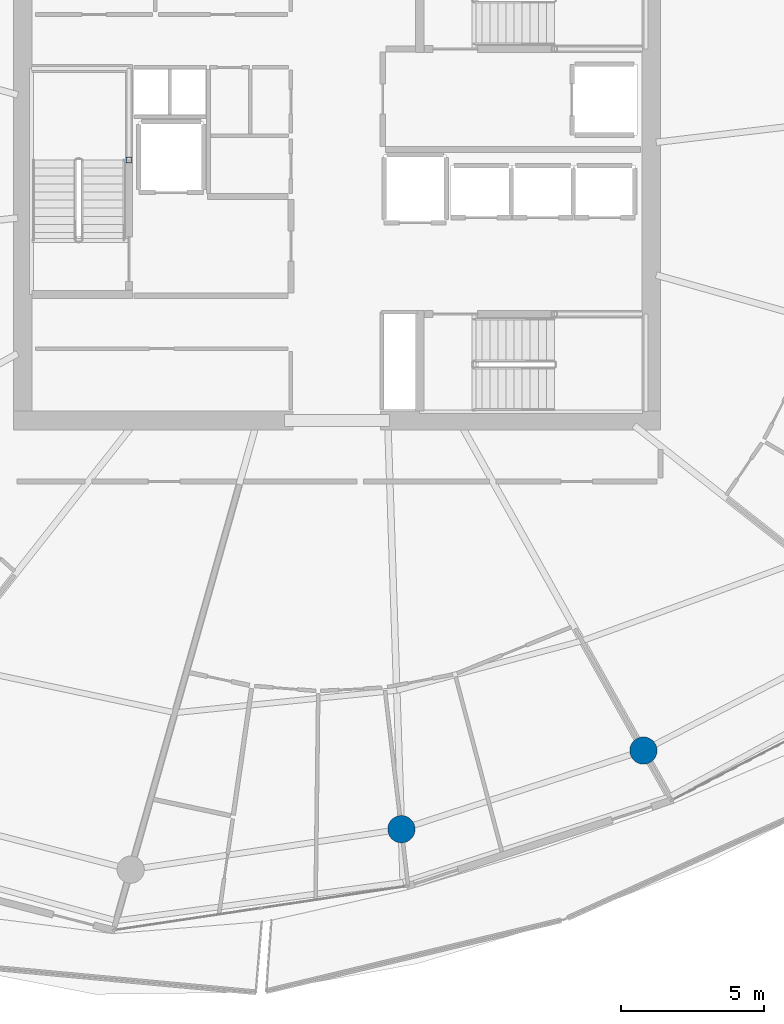
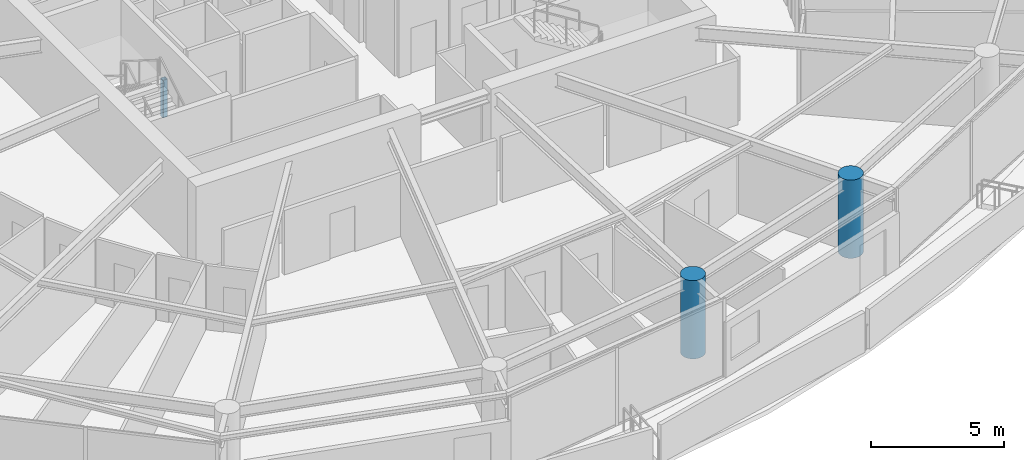
# One storey, part 2 of 30: 3 columns.
"""IFC4 building model written with IfcOpenShell, lengths in metres."""

import ifcopenshell
import ifcopenshell.guid

model = None  # the IFC model being written
_history = None  # IfcOwnerHistory: only IFC2X3 demands one
_inside = {}  # id of a spatial element -> (the spatial element, [elements in it])
_under = {}  # id of a project, library or spatial element -> (it, [spatial elements below it])
_declared = {}  # id of a project -> (the project, [libraries it declares])
_typed = {}  # id of a type object -> (the type object, [elements of that type])
_made_of = {}  # id of a material, layer set ... -> (it, [elements and type objects made of it])


def new_model(schema):
    """Start an empty IFC model of exactly this schema.

    Asked for "IFC4X3", IfcOpenShell would pick the latest addendum, in which some entities
    have other attributes; the version numbers below select the first issue.
    IFC2X3 requires an IfcOwnerHistory on every rooted entity: one is made here for all.
    """
    global model, _history
    if schema == "IFC4X3":
        model = ifcopenshell.file(schema_version=(4, 3, 0, 0))
    else:
        model = ifcopenshell.file(schema=schema)
    _inside.clear()
    _under.clear()
    _declared.clear()
    _typed.clear()
    _made_of.clear()
    _history = None
    if model.schema == "IFC2X3":
        org = make("IfcOrganization", Name="unknown")
        user = make(
            "IfcPersonAndOrganization",
            ThePerson=make("IfcPerson", FamilyName="unknown"),
            TheOrganization=org,
        )
        app = make(
            "IfcApplication",
            ApplicationDeveloper=org,
            Version="unknown",
            ApplicationFullName="unknown",
            ApplicationIdentifier="unknown",
        )
        _history = make(
            "IfcOwnerHistory",
            OwningUser=user,
            OwningApplication=app,
            ChangeAction="ADDED",
            CreationDate=0,
        )
    return model


def make(cls, **values):
    """One entity of the class cls with the attributes given. An attribute that is None is left unset."""
    return model.create_entity(
        cls, **{name: value for name, value in values.items() if value is not None}
    )


def rooted(cls, **values):
    """An entity with a GlobalId (a new one), such as an element, a storey or a relation."""
    return make(cls, GlobalId=ifcopenshell.guid.new(), OwnerHistory=_history, **values)


def si_unit(unit_type, name, prefix=None):
    """IfcSIUnit, for example si_unit("LENGTHUNIT", "METRE", prefix="MILLI")."""
    return make("IfcSIUnit", UnitType=unit_type, Prefix=prefix, Name=name)


def assignment(units):
    """IfcUnitAssignment: the units of a project."""
    return None if units is None else make("IfcUnitAssignment", Units=units)


def point(xyz):
    """IfcCartesianPoint."""
    return None if xyz is None else make("IfcCartesianPoint", Coordinates=xyz)


def direction(xyz):
    """IfcDirection."""
    return None if xyz is None else make("IfcDirection", DirectionRatios=xyz)


def frame(location, z_axis=None, x_axis=None):
    """IfcAxis2Placement3D, a coordinate frame: its origin and axes. An axis left out is left unset."""
    return make(
        "IfcAxis2Placement3D",
        Location=point(location),
        Axis=direction(z_axis),
        RefDirection=direction(x_axis),
    )


def frame_2d(location, x_axis=None):
    """IfcAxis2Placement2D, a coordinate frame in the plane: its origin and x axis."""
    return make(
        "IfcAxis2Placement2D", Location=point(location), RefDirection=direction(x_axis)
    )


def origin():
    """The frame at (0, 0, 0) with its axes left unset."""
    return frame((0.0, 0.0, 0.0))


def origin_2d():
    """The frame at (0, 0) in the plane with its x axis left unset."""
    return frame_2d((0.0, 0.0))


def place(relative_to, where):
    """IfcLocalPlacement: puts the frame where relative to a parent placement (None: the world)."""
    return make(
        "IfcLocalPlacement", PlacementRelTo=relative_to, RelativePlacement=where
    )


def context(
    kind, dimensions, precision=None, world=None, true_north=None, identifier=None
):
    """IfcGeometricRepresentationContext, for example the 3D "Model" context."""
    return make(
        "IfcGeometricRepresentationContext",
        ContextIdentifier=identifier,
        ContextType=kind,
        CoordinateSpaceDimension=dimensions,
        Precision=precision,
        WorldCoordinateSystem=world,
        TrueNorth=true_north,
    )


def subcontext(parent, identifier, kind, view, scale=None):
    """IfcGeometricRepresentationSubContext, for example "Body" below "Model"."""
    return make(
        "IfcGeometricRepresentationSubContext",
        ContextIdentifier=identifier,
        ContextType=kind,
        ParentContext=parent,
        TargetScale=scale,
        TargetView=view,
    )


def project(units=None, contexts=None):
    """IfcProject with its units and contexts."""
    return rooted(
        "IfcProject",
        Name="project",
        RepresentationContexts=contexts,
        UnitsInContext=assignment(units),
    )


def spatial(cls, under=None, at=None, **own):
    """A site, building, storey or space (cls), placed at a placement, below another one or the project."""
    s = rooted(cls, ObjectPlacement=at, **own)
    if under is not None:
        _under.setdefault(under.id(), (under, []))[1].append(s)
    return s


def profile(cls, at=None, kind="AREA", **sizes):
    """A parametric profile (cls). Its sizes go by their IFC names, for example OverallWidth=200.0."""
    return make(cls, ProfileType=kind, Position=at, **sizes)


def hollow_rectangle(**sizes):
    """IfcRectangleHollowProfileDef."""
    return profile("IfcRectangleHollowProfileDef", **sizes)


def circle(**sizes):
    """IfcCircleProfileDef."""
    return profile("IfcCircleProfileDef", **sizes)


def extrude(swept, where, along, depth):
    """IfcExtrudedAreaSolid: the profile swept, set in the frame where, extruded along a direction by depth."""
    return make(
        "IfcExtrudedAreaSolid",
        SweptArea=swept,
        Position=where,
        ExtrudedDirection=direction(along),
        Depth=depth,
    )


def shape(context_of_items, identifier, shape_type, items):
    """IfcShapeRepresentation: the items that make up one representation, for example the "Body"."""
    return make(
        "IfcShapeRepresentation",
        ContextOfItems=context_of_items,
        RepresentationIdentifier=identifier,
        RepresentationType=shape_type,
        Items=items,
    )


def material(Name=None, Category=None):
    """IfcMaterial."""
    return make("IfcMaterial", Name=Name, Category=Category)


def material_profile(
    of_material, cross_section, Name=None, Category=None, Priority=None
):
    """IfcMaterialProfile: a cross section and its material."""
    return make(
        "IfcMaterialProfile",
        Name=Name,
        Material=of_material,
        Profile=cross_section,
        Priority=Priority,
        Category=Category,
    )


def profile_set(profiles, Name=None, composite=None):
    """IfcMaterialProfileSet."""
    return make(
        "IfcMaterialProfileSet",
        Name=Name,
        MaterialProfiles=profiles,
        CompositeProfile=composite,
    )


def made_of(thing, what):
    """Note that an element or type object is made of a material, layer set ...; save() writes the relation."""
    if what is not None:
        _made_of.setdefault(what.id(), (what, []))[1].append(thing)
    return thing


def type_object(cls, material=None, **own):
    """A type object (cls), such as IfcWallType, which elements share."""
    return made_of(rooted(cls, **own), material)


def element(
    cls,
    number,
    at=None,
    inside=None,
    cuts=None,
    type_object=None,
    material=None,
    context=None,
    identifier="Body",
    shape_type=None,
    held_by="IfcProductDefinitionShape",
    body=None,
    shapes=None,
    **own,
):
    """One element of the class cls, such as IfcWall. Its Tag is "e" and its number.

    at: its placement. inside: the storey or other place that contains it. cuts: it is an
    opening in that element (IfcRelVoidsElement). A single representation is given by context,
    identifier, shape_type and body (its items); several are given by shapes. held_by: the class
    of the entity that holds the representations. save() writes the other relations.
    """
    e = rooted(cls, Tag="e%d" % number, ObjectPlacement=at, **own)
    if body is not None:
        shapes = [shape(context, identifier, shape_type, body)]
    if shapes is not None:
        e.Representation = make(held_by, Representations=shapes)
    if inside is not None:
        _inside.setdefault(inside.id(), (inside, []))[1].append(e)
    if cuts is not None:
        rooted(
            "IfcRelVoidsElement", RelatingBuildingElement=cuts, RelatedOpeningElement=e
        )
    if type_object is not None:
        _typed.setdefault(type_object.id(), (type_object, []))[1].append(e)
    return made_of(e, material)


def aggregate(whole, parts):
    """IfcRelAggregates: a whole, such as a stair, and the parts it consists of."""
    return rooted("IfcRelAggregates", RelatingObject=whole, RelatedObjects=parts)


def save(model, path):
    """Write the relations noted so far, then the file.

    IfcRelAggregates (storeys below a building ...), IfcRelContainedInSpatialStructure (elements
    in a storey), IfcRelDefinesByType, IfcRelAssociatesMaterial and IfcRelDeclares: one each for
    every whole, place, type object, material and project.
    """
    for whole, parts in _under.values():
        aggregate(whole, parts)
    for where, things in _inside.values():
        rooted(
            "IfcRelContainedInSpatialStructure",
            RelatedElements=things,
            RelatingStructure=where,
        )
    for kind, things in _typed.values():
        rooted("IfcRelDefinesByType", RelatedObjects=things, RelatingType=kind)
    for what, things in _made_of.values():
        rooted("IfcRelAssociatesMaterial", RelatedObjects=things, RelatingMaterial=what)
    for by, libraries in _declared.values():
        rooted("IfcRelDeclares", RelatingContext=by, RelatedDefinitions=libraries)
    model.write(path)


model = new_model("IFC4")

# Units and contexts
model_context = context("Model", 3, precision=1e-05, world=origin(), true_north=direction((0.0, 1.0)))
body_context = subcontext(model_context, "Body", "Model", "MODEL_VIEW")
ifc_project = project(units=[si_unit("LENGTHUNIT", "METRE"), si_unit("AREAUNIT", "SQUARE_METRE"), si_unit("VOLUMEUNIT", "CUBIC_METRE"), si_unit("PLANEANGLEUNIT", "RADIAN"), si_unit("MASSUNIT", "GRAM", prefix="KILO")], contexts=[model_context])

# Site, building, storey
site_placement = place(None, origin())
site = spatial("IfcSite", under=ifc_project, at=site_placement, CompositionType="ELEMENT")
building_placement = place(site_placement, origin())
building = spatial("IfcBuilding", under=site, at=building_placement, Name="Kazma Halo Residences", CompositionType="ELEMENT")
storey_placement = place(building_placement, frame((0.0, 0.0, 263.64990234375)))
storey = spatial("IfcBuildingStorey", under=building, at=storey_placement, Name="L66", CompositionType="ELEMENT", Elevation=263.64990234375)

# Columns
ifc_material_1 = material(Name="Steel S355", Category="steel")
ifc_material_profile_1 = material_profile(ifc_material_1, hollow_rectangle(XDim=0.199951171875, YDim=0.199951171875, WallThickness=0.010009765625, InnerFilletRadius=0.010009765625, OuterFilletRadius=0.02001953125, at=origin_2d()), Name="SHS200x200x10")
ifc_profile_set_1 = profile_set([ifc_material_profile_1], Name="Steel S355")
column_type_1 = type_object("IfcColumnType", Name="COL-LP-SHS200", PredefinedType="COLUMN", material=ifc_profile_set_1)
column_placement = place(storey_placement, frame((41.179931640625, 42.75, 0.0), z_axis=(0.0, 0.0, 1.0), x_axis=(1.0, 0.0, 0.0)))
element("IfcColumn", 1, at=column_placement, inside=storey, type_object=column_type_1, Name="L66 ST-01 landing pilaster 1", PredefinedType="COLUMN", context=body_context, shape_type="SweptSolid", body=[
    extrude(hollow_rectangle(XDim=0.199951171875, YDim=0.199951171875, WallThickness=0.010009765625, InnerFilletRadius=0.010009765625, OuterFilletRadius=0.02001953125, at=origin_2d()), origin(), (0.0, 0.0, 1.0), 1.72021484375),
])
ifc_material_2 = material(Name="Concrete C60/75", Category="concrete")
ifc_material_profile_2 = material_profile(ifc_material_2, circle(Radius=0.47509765625, at=origin_2d()), Name="CIRC950")
ifc_profile_set_2 = profile_set([ifc_material_profile_2], Name="Concrete C60/75")
column_type_2 = type_object("IfcColumnType", Name="COL-PERIM-950", PredefinedType="COLUMN", material=ifc_profile_set_2)
for number, where, z_axis, x_axis, name in (
    (2, (50.67138671875, 19.42919921875, 0.0), (0.0, 0.0, 1.0), (1.0, 0.0, 0.0), "L66 perimeter ring column P12"),
    (3, (59.10546875, 22.169677734375, 0.0), (0.0, 0.0, 1.0), (1.0, 0.0, 0.0), "L66 perimeter ring column P13"),
):
    element("IfcColumn", number, at=place(storey_placement, frame(where, z_axis=z_axis, x_axis=x_axis)), inside=storey, type_object=column_type_2, Name=name, PredefinedType="COLUMN", context=body_context, shape_type="SweptSolid", body=[
        extrude(circle(Radius=0.47509765625, at=origin_2d()), origin(), (0.0, 0.0, 1.0), 3.590087890625),
    ])

save(model, "model.ifc")
